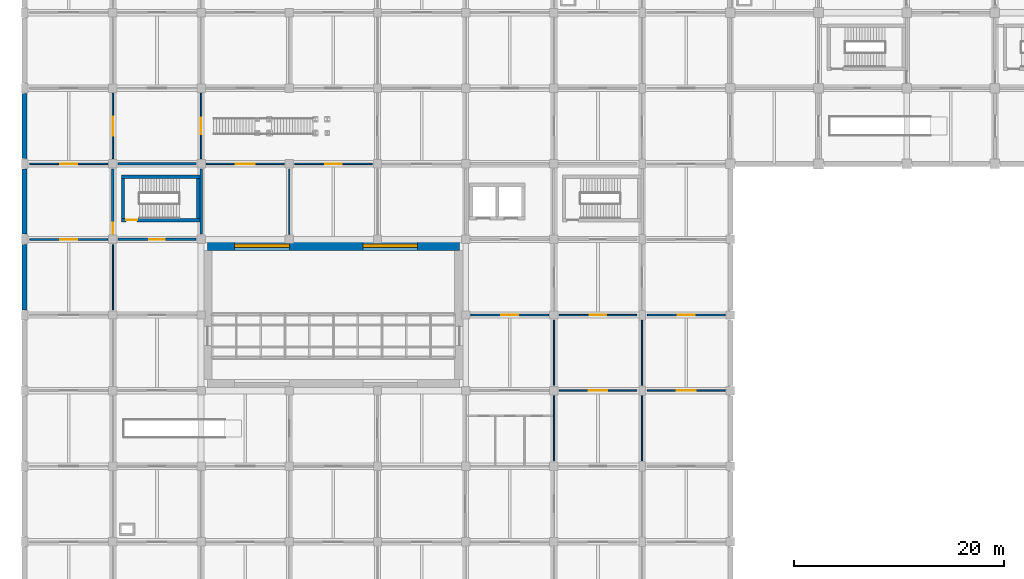
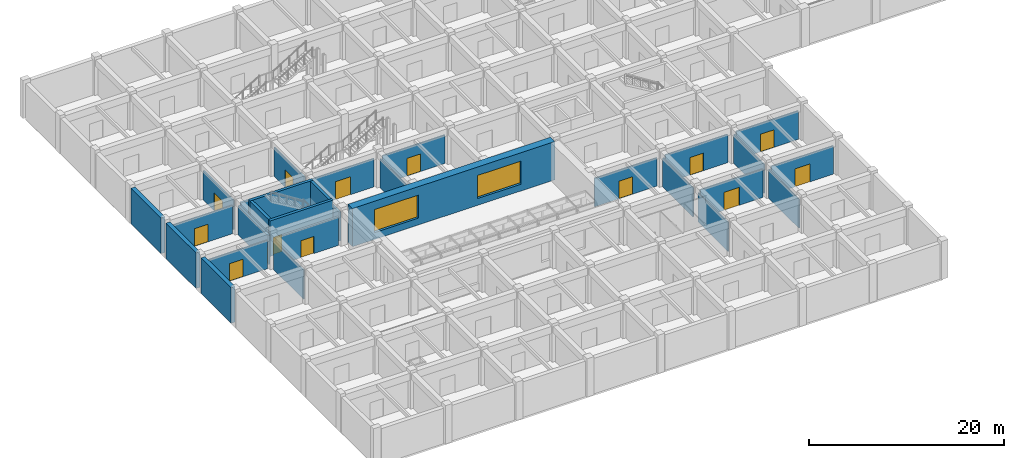
# One storey, part 18 of 32: 29 walls, 14 doors, 2 windows, 16 openings.
"""IFC4 building model written with IfcOpenShell, lengths in metres."""

from ifc_helpers import new_model, si_unit, derived_unit, direction, frame, frame_2d, origin, place, context, subcontext, project, spatial, rectangle, extrude, material, layer, layer_set, type_object, element, fill, save


model = new_model("IFC4")

# Units and contexts
model_context = context("Model", 3, precision=1e-05, world=origin(), true_north=direction((0.0, 1.0)))
body_context = subcontext(model_context, "Body", "Model", "MODEL_VIEW")
ifc_project = project(units=[si_unit("LENGTHUNIT", "METRE"), si_unit("AREAUNIT", "SQUARE_METRE"), si_unit("VOLUMEUNIT", "CUBIC_METRE"), si_unit("PLANEANGLEUNIT", "RADIAN"), si_unit("MASSUNIT", "GRAM", prefix="KILO"), derived_unit("THERMALTRANSMITTANCEUNIT", [(si_unit("MASSUNIT", "GRAM", prefix="KILO"), 1), (si_unit("TIMEUNIT", "SECOND"), -3), (si_unit("THERMODYNAMICTEMPERATUREUNIT", "KELVIN"), -1)])], contexts=[model_context])

# Site, building, storey
site_placement = place(None, origin())
site = spatial("IfcSite", under=ifc_project, at=site_placement, CompositionType="ELEMENT")
building_placement = place(site_placement, origin())
building = spatial("IfcBuilding", under=site, at=building_placement, Name="Veldstrom Oceanarium and Marine Research Institute", CompositionType="ELEMENT")
storey_placement = place(building_placement, frame((0.0, 0.0, -4.800048828125)))
storey = spatial("IfcBuildingStorey", under=building, at=storey_placement, Name="B01", CompositionType="ELEMENT", Elevation=-4.800048828125)

# Wall, opening, door
ifc_material_1 = material(Name="Masonry Fire Compartment Wall", Category="masonry")
ifc_layer_1 = layer(ifc_material_1, 0.22998046875)
ifc_layer_set_1 = layer_set([ifc_layer_1], Name="ARC-WAL-PT1")
wall_type_1 = type_object("IfcWallType", Name="ARC-WAL-PT1", PredefinedType="PARTITIONING", material=ifc_layer_set_1)
wall_1_placement = place(storey_placement, frame((8.39990234375, 36.5, 0.0), z_axis=(0.0, 0.0, 1.0), x_axis=(0.0, 1.0, 0.0)))
wall_1 = element("IfcWall", 1, at=wall_1_placement, inside=storey, type_object=wall_type_1, Name="Interior Partition PT1 B01-0308", PredefinedType="PARTITIONING", context=body_context, shape_type="SweptSolid", body=[
    extrude(rectangle(XDim=6.199951171875, YDim=0.22998046875, at=frame_2d((3.10009765625, 0.0))), origin(), (0.0, 0.0, 1.0), 3.64501953125),
])
opening_1_placement = place(wall_1_placement, frame((0.050048828125, 0.0, 0.0)))
opening_1 = element("IfcOpeningElement", 2, at=opening_1_placement, cuts=wall_1, Name="Opening D-B01-180", PredefinedType="OPENING", context=body_context, shape_type="SweptSolid", body=[
    extrude(rectangle(XDim=1.050048828125, YDim=2.14990234375, at=frame_2d((0.52490234375, 1.074951171875))), frame((0.0, 0.125, 0.0), z_axis=(0.0, -1.0, 0.0), x_axis=(1.0, 0.0, 0.0)), (0.0, 0.0, 1.0), 0.25),
])
ifc_material_2 = material(Name="Painted Steel Fire Door", Category="steel")
door_type_1 = type_object("IfcDoorType", Name="ARC-DOR-SD1", OperationType="SINGLE_SWING_LEFT", PredefinedType="DOOR", material=ifc_material_2)
door_1_placement = place(opening_1_placement, origin())
door_1 = element("IfcDoor", 3, at=door_1_placement, inside=storey, type_object=door_type_1, Name="Interior Door D-B01-180", OperationType="SINGLE_SWING_LEFT", OverallHeight=2.14990234375, OverallWidth=1.050048828125, PredefinedType="DOOR", context=body_context, shape_type="SweptSolid", body=[
    extrude(rectangle(XDim=1.050048828125, YDim=2.14990234375, at=frame_2d((0.52490234375, 1.074951171875))), frame((0.0, 0.02490234375, 0.0), z_axis=(0.0, -1.0, 0.0), x_axis=(1.0, 0.0, 0.0)), (0.0, 0.0, 1.0), 0.050048828125),
])
fill(opening_1, door_1)

wall_2_placement = place(storey_placement, frame((8.89990234375, 36.0, 0.0), z_axis=(0.0, 0.0, 1.0), x_axis=(1.0, 0.0, 0.0)))
wall_2 = element("IfcWall", 4, at=wall_2_placement, inside=storey, type_object=wall_type_1, Name="Interior Partition PT1 B01-0323", PredefinedType="PARTITIONING", context=body_context, shape_type="SweptSolid", body=[
    extrude(rectangle(XDim=7.400146484375, YDim=0.22998046875, at=frame_2d((3.7001953125, 0.0))), origin(), (0.0, 0.0, 1.0), 3.545166015625),
])
opening_2_placement = place(wall_2_placement, frame((2.949951171875, 0.0, 0.0)))
opening_2 = element("IfcOpeningElement", 5, at=opening_2_placement, cuts=wall_2, Name="Opening D-B01-190", PredefinedType="OPENING", context=body_context, shape_type="SweptSolid", body=[
    extrude(rectangle(XDim=1.5, YDim=2.14990234375, at=frame_2d((0.75, 1.074951171875))), frame((0.0, 0.125, 0.0), z_axis=(0.0, -1.0, 0.0), x_axis=(1.0, 0.0, 0.0)), (0.0, 0.0, 1.0), 0.25),
])
ifc_material_3 = material(Name="Painted Steel Lobby Fire Door", Category="steel")
door_type_2 = type_object("IfcDoorType", Name="ARC-DOR-SD2", OperationType="DOUBLE_DOOR_SINGLE_SWING", PredefinedType="DOOR", material=ifc_material_3)
door_2_placement = place(opening_2_placement, frame((1.5, 0.0, 0.0), z_axis=(0.0, 0.0, 1.0), x_axis=(-1.0, 0.0, 0.0)))
door_2 = element("IfcDoor", 6, at=door_2_placement, inside=storey, type_object=door_type_2, Name="Interior Door D-B01-190", OperationType="DOUBLE_DOOR_SINGLE_SWING", OverallHeight=2.14990234375, OverallWidth=1.5, PredefinedType="DOOR", context=body_context, shape_type="SweptSolid", body=[
    extrude(rectangle(XDim=1.5, YDim=2.14990234375, at=frame_2d((0.75, 1.074951171875))), frame((0.0, 0.02490234375, 0.0), z_axis=(0.0, -1.0, 0.0), x_axis=(1.0, 0.0, 0.0)), (0.0, 0.0, 1.0), 0.050048828125),
])
fill(opening_2, door_2)

# Walls
wall_3_placement = place(storey_placement, frame((16.800048828125, 36.5, 0.0), z_axis=(0.0, 0.0, 1.0), x_axis=(0.0, 1.0, 0.0)))
element("IfcWall", 7, at=wall_3_placement, inside=storey, type_object=wall_type_1, Name="Interior Partition PT1 B01-0324", PredefinedType="PARTITIONING", context=body_context, shape_type="SweptSolid", body=[
    extrude(rectangle(XDim=6.199951171875, YDim=0.22998046875, at=frame_2d((3.10009765625, 0.0))), origin(), (0.0, 0.0, 1.0), 3.64501953125),
])
wall_4_placement = place(storey_placement, frame((8.89990234375, 43.199951171875, 0.0), z_axis=(0.0, 0.0, 1.0), x_axis=(1.0, 0.0, 0.0)))
element("IfcWall", 8, at=wall_4_placement, inside=storey, type_object=wall_type_1, Name="Interior Partition PT1 B01-0325", PredefinedType="PARTITIONING", context=body_context, shape_type="SweptSolid", body=[
    extrude(rectangle(XDim=7.400146484375, YDim=0.22998046875, at=frame_2d((3.7001953125, 0.0))), origin(), (0.0, 0.0, 1.0), 3.545166015625),
])

# Wall, opening, door
ifc_material_4 = material(Name="Drywall Corridor Partition", Category="gypsum")
ifc_layer_2 = layer(ifc_material_4, 0.155029296875)
ifc_layer_set_2 = layer_set([ifc_layer_2], Name="ARC-WAL-PT4")
wall_type_2 = type_object("IfcWallType", Name="ARC-WAL-PT4", PredefinedType="PARTITIONING", material=ifc_layer_set_2)
wall_5_placement = place(storey_placement, frame((0.5, 36.0, 0.0), z_axis=(0.0, 0.0, 1.0), x_axis=(1.0, 0.0, 0.0)))
wall_5 = element("IfcWall", 9, at=wall_5_placement, inside=storey, type_object=wall_type_2, Name="Interior Partition PT4 B01-0307", PredefinedType="PARTITIONING", context=body_context, shape_type="SweptSolid", body=[
    extrude(rectangle(XDim=7.39990234375, YDim=0.155029296875, at=frame_2d((3.699951171875, 0.0))), origin(), (0.0, 0.0, 1.0), 3.545166015625),
])
opening_3_placement = place(wall_5_placement, frame((2.89990234375, 0.0, 0.0)))
opening_3 = element("IfcOpeningElement", 10, at=opening_3_placement, cuts=wall_5, Name="Opening D-B01-179", PredefinedType="OPENING", context=body_context, shape_type="SweptSolid", body=[
    extrude(rectangle(XDim=1.60009765625, YDim=2.199951171875, at=frame_2d((0.800048828125, 1.10009765625))), frame((0.0, 0.08740234375, 0.0), z_axis=(0.0, -1.0, 0.0), x_axis=(1.0, 0.0, 0.0)), (0.0, 0.0, 1.0), 0.175048828125),
])
ifc_material_5 = material(Name="Acoustic Timber Corridor Door", Category="wood")
door_type_3 = type_object("IfcDoorType", Name="ARC-DOR-ID02", OperationType="DOUBLE_DOOR_SINGLE_SWING", PredefinedType="DOOR", material=ifc_material_5)
door_3_placement = place(opening_3_placement, frame((1.60009765625, 0.0, 0.0), z_axis=(0.0, 0.0, 1.0), x_axis=(-1.0, 0.0, 0.0)))
door_3 = element("IfcDoor", 11, at=door_3_placement, inside=storey, type_object=door_type_3, Name="Interior Door D-B01-179", OperationType="DOUBLE_DOOR_SINGLE_SWING", OverallHeight=2.199951171875, OverallWidth=1.60009765625, PredefinedType="DOOR", context=body_context, shape_type="SweptSolid", body=[
    extrude(rectangle(XDim=1.60009765625, YDim=2.199951171875, at=frame_2d((0.800048828125, 1.10009765625))), frame((0.0, 0.02490234375, 0.0), z_axis=(0.0, -1.0, 0.0), x_axis=(1.0, 0.0, 0.0)), (0.0, 0.0, 1.0), 0.050048828125),
])
fill(opening_3, door_3)

wall_6_placement = place(storey_placement, frame((8.39990234375, 43.699951171875, 0.0), z_axis=(0.0, 0.0, 1.0), x_axis=(0.0, 1.0, 0.0)))
wall_6 = element("IfcWall", 12, at=wall_6_placement, inside=storey, type_object=wall_type_2, Name="Interior Partition PT4 B01-0310", PredefinedType="PARTITIONING", context=body_context, shape_type="SweptSolid", body=[
    extrude(rectangle(XDim=6.199951171875, YDim=0.155029296875, at=frame_2d((3.10009765625, 0.0))), origin(), (0.0, 0.0, 1.0), 3.64501953125),
])
opening_4_placement = place(wall_6_placement, frame((2.199951171875, 0.0, 0.0)))
opening_4 = element("IfcOpeningElement", 13, at=opening_4_placement, cuts=wall_6, Name="Opening D-B01-182", PredefinedType="OPENING", context=body_context, shape_type="SweptSolid", body=[
    extrude(rectangle(XDim=1.800048828125, YDim=2.25, at=frame_2d((0.89990234375, 1.125))), frame((0.0, 0.08740234375, 0.0), z_axis=(0.0, -1.0, 0.0), x_axis=(1.0, 0.0, 0.0)), (0.0, 0.0, 1.0), 0.175048828125),
])
ifc_material_6 = material(Name="Acoustic Timber Gallery Door", Category="wood")
door_type_4 = type_object("IfcDoorType", Name="ARC-DOR-ID01", OperationType="DOUBLE_DOOR_SINGLE_SWING", PredefinedType="DOOR", material=ifc_material_6)
door_4_placement = place(opening_4_placement, origin())
door_4 = element("IfcDoor", 14, at=door_4_placement, inside=storey, type_object=door_type_4, Name="Interior Door D-B01-182", OperationType="DOUBLE_DOOR_SINGLE_SWING", OverallHeight=2.25, OverallWidth=1.800048828125, PredefinedType="DOOR", context=body_context, shape_type="SweptSolid", body=[
    extrude(rectangle(XDim=1.800048828125, YDim=2.25, at=frame_2d((0.89990234375, 1.125))), frame((0.0, 0.02490234375, 0.0), z_axis=(0.0, -1.0, 0.0), x_axis=(1.0, 0.0, 0.0)), (0.0, 0.0, 1.0), 0.050048828125),
])
fill(opening_4, door_4)

wall_7_placement = place(storey_placement, frame((25.699951171875, 43.199951171875, 0.0), z_axis=(0.0, 0.0, 1.0), x_axis=(1.0, 0.0, 0.0)))
wall_7 = element("IfcWall", 15, at=wall_7_placement, inside=storey, type_object=wall_type_2, Name="Interior Partition PT4 B01-0351", PredefinedType="PARTITIONING", context=body_context, shape_type="SweptSolid", body=[
    extrude(rectangle(XDim=7.400146484375, YDim=0.155029296875, at=frame_2d((3.7001953125, 0.0))), origin(), (0.0, 0.0, 1.0), 3.545166015625),
])
opening_5_placement = place(wall_7_placement, frame((2.89990234375, 0.0, 0.0)))
opening_5 = element("IfcOpeningElement", 16, at=opening_5_placement, cuts=wall_7, Name="Opening D-B01-205", PredefinedType="OPENING", context=body_context, shape_type="SweptSolid", body=[
    extrude(rectangle(XDim=1.60009765625, YDim=2.199951171875, at=frame_2d((0.800048828125, 1.10009765625))), frame((0.0, 0.08740234375, 0.0), z_axis=(0.0, -1.0, 0.0), x_axis=(1.0, 0.0, 0.0)), (0.0, 0.0, 1.0), 0.175048828125),
])
door_5_placement = place(opening_5_placement, frame((1.60009765625, 0.0, 0.0), z_axis=(0.0, 0.0, 1.0), x_axis=(-1.0, 0.0, 0.0)))
door_5 = element("IfcDoor", 17, at=door_5_placement, inside=storey, type_object=door_type_3, Name="Interior Door D-B01-205", OperationType="DOUBLE_DOOR_SINGLE_SWING", OverallHeight=2.199951171875, OverallWidth=1.60009765625, PredefinedType="DOOR", context=body_context, shape_type="SweptSolid", body=[
    extrude(rectangle(XDim=1.60009765625, YDim=2.199951171875, at=frame_2d((0.800048828125, 1.10009765625))), frame((0.0, 0.02490234375, 0.0), z_axis=(0.0, -1.0, 0.0), x_axis=(1.0, 0.0, 0.0)), (0.0, 0.0, 1.0), 0.050048828125),
])
fill(opening_5, door_5)

wall_8_placement = place(storey_placement, frame((42.5, 28.800048828125, 0.0), z_axis=(0.0, 0.0, 1.0), x_axis=(1.0, 0.0, 0.0)))
wall_8 = element("IfcWall", 18, at=wall_8_placement, inside=storey, type_object=wall_type_2, Name="Interior Partition PT4 B01-0380", PredefinedType="PARTITIONING", context=body_context, shape_type="SweptSolid", body=[
    extrude(rectangle(XDim=7.39990234375, YDim=0.155029296875, at=frame_2d((3.699951171875, 0.0))), origin(), (0.0, 0.0, 1.0), 3.545166015625),
])
opening_6_placement = place(wall_8_placement, frame((2.89990234375, 0.0, 0.0)))
opening_6 = element("IfcOpeningElement", 19, at=opening_6_placement, cuts=wall_8, Name="Opening D-B01-219", PredefinedType="OPENING", context=body_context, shape_type="SweptSolid", body=[
    extrude(rectangle(XDim=1.60009765625, YDim=2.199951171875, at=frame_2d((0.800048828125, 1.10009765625))), frame((0.0, 0.08740234375, 0.0), z_axis=(0.0, -1.0, 0.0), x_axis=(1.0, 0.0, 0.0)), (0.0, 0.0, 1.0), 0.175048828125),
])
door_6_placement = place(opening_6_placement, frame((1.60009765625, 0.0, 0.0), z_axis=(0.0, 0.0, 1.0), x_axis=(-1.0, 0.0, 0.0)))
door_6 = element("IfcDoor", 20, at=door_6_placement, inside=storey, type_object=door_type_3, Name="Interior Door D-B01-219", OperationType="DOUBLE_DOOR_SINGLE_SWING", OverallHeight=2.199951171875, OverallWidth=1.60009765625, PredefinedType="DOOR", context=body_context, shape_type="SweptSolid", body=[
    extrude(rectangle(XDim=1.60009765625, YDim=2.199951171875, at=frame_2d((0.800048828125, 1.10009765625))), frame((0.0, 0.02490234375, 0.0), z_axis=(0.0, -1.0, 0.0), x_axis=(1.0, 0.0, 0.0)), (0.0, 0.0, 1.0), 0.050048828125),
])
fill(opening_6, door_6)

wall_9_placement = place(storey_placement, frame((50.89990234375, 21.60009765625, 0.0), z_axis=(0.0, 0.0, 1.0), x_axis=(1.0, 0.0, 0.0)))
wall_9 = element("IfcWall", 21, at=wall_9_placement, inside=storey, type_object=wall_type_2, Name="Interior Partition PT4 B01-0397", PredefinedType="PARTITIONING", context=body_context, shape_type="SweptSolid", body=[
    extrude(rectangle(XDim=7.400146484375, YDim=0.155029296875, at=frame_2d((3.7001953125, 0.0))), origin(), (0.0, 0.0, 1.0), 3.545166015625),
])
opening_7_placement = place(wall_9_placement, frame((2.800048828125, 0.0, 0.0)))
opening_7 = element("IfcOpeningElement", 22, at=opening_7_placement, cuts=wall_9, Name="Opening D-B01-228", PredefinedType="OPENING", context=body_context, shape_type="SweptSolid", body=[
    extrude(rectangle(XDim=1.800048828125, YDim=2.25, at=frame_2d((0.89990234375, 1.125))), frame((0.0, 0.08740234375, 0.0), z_axis=(0.0, -1.0, 0.0), x_axis=(1.0, 0.0, 0.0)), (0.0, 0.0, 1.0), 0.175048828125),
])
door_7_placement = place(opening_7_placement, frame((1.800048828125, 0.0, 0.0), z_axis=(0.0, 0.0, 1.0), x_axis=(-1.0, 0.0, 0.0)))
door_7 = element("IfcDoor", 23, at=door_7_placement, inside=storey, type_object=door_type_4, Name="Interior Door D-B01-228", OperationType="DOUBLE_DOOR_SINGLE_SWING", OverallHeight=2.25, OverallWidth=1.800048828125, PredefinedType="DOOR", context=body_context, shape_type="SweptSolid", body=[
    extrude(rectangle(XDim=1.800048828125, YDim=2.25, at=frame_2d((0.89990234375, 1.125))), frame((0.0, 0.02490234375, 0.0), z_axis=(0.0, -1.0, 0.0), x_axis=(1.0, 0.0, 0.0)), (0.0, 0.0, 1.0), 0.050048828125),
])
fill(opening_7, door_7)

wall_10_placement = place(storey_placement, frame((59.300048828125, 28.800048828125, 0.0), z_axis=(0.0, 0.0, 1.0), x_axis=(1.0, 0.0, 0.0)))
wall_10 = element("IfcWall", 24, at=wall_10_placement, inside=storey, type_object=wall_type_2, Name="Interior Partition PT4 B01-0414", PredefinedType="PARTITIONING", context=body_context, shape_type="SweptSolid", body=[
    extrude(rectangle(XDim=7.39990234375, YDim=0.155029296875, at=frame_2d((3.699951171875, 0.0))), origin(), (0.0, 0.0, 1.0), 3.545166015625),
])
opening_8_placement = place(wall_10_placement, frame((2.89990234375, 0.0, 0.0)))
opening_8 = element("IfcOpeningElement", 25, at=opening_8_placement, cuts=wall_10, Name="Opening D-B01-239", PredefinedType="OPENING", context=body_context, shape_type="SweptSolid", body=[
    extrude(rectangle(XDim=1.60009765625, YDim=2.199951171875, at=frame_2d((0.800048828125, 1.10009765625))), frame((0.0, 0.08740234375, 0.0), z_axis=(0.0, -1.0, 0.0), x_axis=(1.0, 0.0, 0.0)), (0.0, 0.0, 1.0), 0.175048828125),
])
door_8_placement = place(opening_8_placement, frame((1.60009765625, 0.0, 0.0), z_axis=(0.0, 0.0, 1.0), x_axis=(-1.0, 0.0, 0.0)))
door_8 = element("IfcDoor", 26, at=door_8_placement, inside=storey, type_object=door_type_3, Name="Interior Door D-B01-239", OperationType="DOUBLE_DOOR_SINGLE_SWING", OverallHeight=2.199951171875, OverallWidth=1.60009765625, PredefinedType="DOOR", context=body_context, shape_type="SweptSolid", body=[
    extrude(rectangle(XDim=1.60009765625, YDim=2.199951171875, at=frame_2d((0.800048828125, 1.10009765625))), frame((0.0, 0.02490234375, 0.0), z_axis=(0.0, -1.0, 0.0), x_axis=(1.0, 0.0, 0.0)), (0.0, 0.0, 1.0), 0.050048828125),
])
fill(opening_8, door_8)

ifc_material_7 = material(Name="Moisture-Resistant Wet-Area Partition", Category="masonry")
ifc_layer_3 = layer(ifc_material_7, 0.139892578125)
ifc_layer_set_3 = layer_set([ifc_layer_3], Name="ARC-WAL-PT5")
wall_type_3 = type_object("IfcWallType", Name="ARC-WAL-PT5", PredefinedType="PARTITIONING", material=ifc_layer_set_3)
wall_11_placement = place(storey_placement, frame((0.5, 43.199951171875, 0.0), z_axis=(0.0, 0.0, 1.0), x_axis=(1.0, 0.0, 0.0)))
wall_11 = element("IfcWall", 27, at=wall_11_placement, inside=storey, type_object=wall_type_3, Name="Interior Partition PT5 B01-0309", PredefinedType="PARTITIONING", context=body_context, shape_type="SweptSolid", body=[
    extrude(rectangle(XDim=7.39990234375, YDim=0.139892578125, at=frame_2d((3.699951171875, 0.0))), origin(), (0.0, 0.0, 1.0), 3.545166015625),
])
opening_9_placement = place(wall_11_placement, frame((2.89990234375, 0.0, 0.0)))
opening_9 = element("IfcOpeningElement", 28, at=opening_9_placement, cuts=wall_11, Name="Opening D-B01-181", PredefinedType="OPENING", context=body_context, shape_type="SweptSolid", body=[
    extrude(rectangle(XDim=1.60009765625, YDim=2.199951171875, at=frame_2d((0.800048828125, 1.10009765625))), frame((0.0, 0.079833984375, 0.0), z_axis=(0.0, -1.0, 0.0), x_axis=(1.0, 0.0, 0.0)), (0.0, 0.0, 1.0), 0.159912109375),
])
door_9_placement = place(opening_9_placement, origin())
door_9 = element("IfcDoor", 29, at=door_9_placement, inside=storey, type_object=door_type_3, Name="Interior Door D-B01-181", OperationType="DOUBLE_DOOR_SINGLE_SWING", OverallHeight=2.199951171875, OverallWidth=1.60009765625, PredefinedType="DOOR", context=body_context, shape_type="SweptSolid", body=[
    extrude(rectangle(XDim=1.60009765625, YDim=2.199951171875, at=frame_2d((0.800048828125, 1.10009765625))), frame((0.0, 0.02490234375, 0.0), z_axis=(0.0, -1.0, 0.0), x_axis=(1.0, 0.0, 0.0)), (0.0, 0.0, 1.0), 0.050048828125),
])
fill(opening_9, door_9)

wall_12_placement = place(storey_placement, frame((16.800048828125, 43.699951171875, 0.0), z_axis=(0.0, 0.0, 1.0), x_axis=(0.0, 1.0, 0.0)))
wall_12 = element("IfcWall", 30, at=wall_12_placement, inside=storey, type_object=wall_type_3, Name="Interior Partition PT5 B01-0326", PredefinedType="PARTITIONING", context=body_context, shape_type="SweptSolid", body=[
    extrude(rectangle(XDim=6.199951171875, YDim=0.139892578125, at=frame_2d((3.10009765625, 0.0))), origin(), (0.0, 0.0, 1.0), 3.64501953125),
])
opening_10_placement = place(wall_12_placement, frame((2.300048828125, 0.0, 0.0)))
opening_10 = element("IfcOpeningElement", 31, at=opening_10_placement, cuts=wall_12, Name="Opening D-B01-191", PredefinedType="OPENING", context=body_context, shape_type="SweptSolid", body=[
    extrude(rectangle(XDim=1.60009765625, YDim=2.199951171875, at=frame_2d((0.800048828125, 1.10009765625))), frame((0.0, 0.079833984375, 0.0), z_axis=(0.0, -1.0, 0.0), x_axis=(1.0, 0.0, 0.0)), (0.0, 0.0, 1.0), 0.159912109375),
])
door_10_placement = place(opening_10_placement, frame((1.60009765625, 0.0, 0.0), z_axis=(0.0, 0.0, 1.0), x_axis=(-1.0, 0.0, 0.0)))
door_10 = element("IfcDoor", 32, at=door_10_placement, inside=storey, type_object=door_type_3, Name="Interior Door D-B01-191", OperationType="DOUBLE_DOOR_SINGLE_SWING", OverallHeight=2.199951171875, OverallWidth=1.60009765625, PredefinedType="DOOR", context=body_context, shape_type="SweptSolid", body=[
    extrude(rectangle(XDim=1.60009765625, YDim=2.199951171875, at=frame_2d((0.800048828125, 1.10009765625))), frame((0.0, 0.02490234375, 0.0), z_axis=(0.0, -1.0, 0.0), x_axis=(1.0, 0.0, 0.0)), (0.0, 0.0, 1.0), 0.050048828125),
])
fill(opening_10, door_10)

wall_13_placement = place(storey_placement, frame((17.300048828125, 43.199951171875, 0.0), z_axis=(0.0, 0.0, 1.0), x_axis=(1.0, 0.0, 0.0)))
wall_13 = element("IfcWall", 33, at=wall_13_placement, inside=storey, type_object=wall_type_3, Name="Interior Partition PT5 B01-0339", PredefinedType="PARTITIONING", context=body_context, shape_type="SweptSolid", body=[
    extrude(rectangle(XDim=7.39990234375, YDim=0.139892578125, at=frame_2d((3.699951171875, 0.0))), origin(), (0.0, 0.0, 1.0), 3.545166015625),
])
opening_11_placement = place(wall_13_placement, frame((2.800048828125, 0.0, 0.0)))
opening_11 = element("IfcOpeningElement", 34, at=opening_11_placement, cuts=wall_13, Name="Opening D-B01-198", PredefinedType="OPENING", context=body_context, shape_type="SweptSolid", body=[
    extrude(rectangle(XDim=1.800048828125, YDim=2.25, at=frame_2d((0.89990234375, 1.125))), frame((0.0, 0.079833984375, 0.0), z_axis=(0.0, -1.0, 0.0), x_axis=(1.0, 0.0, 0.0)), (0.0, 0.0, 1.0), 0.159912109375),
])
door_11_placement = place(opening_11_placement, origin())
door_11 = element("IfcDoor", 35, at=door_11_placement, inside=storey, type_object=door_type_4, Name="Interior Door D-B01-198", OperationType="DOUBLE_DOOR_SINGLE_SWING", OverallHeight=2.25, OverallWidth=1.800048828125, PredefinedType="DOOR", context=body_context, shape_type="SweptSolid", body=[
    extrude(rectangle(XDim=1.800048828125, YDim=2.25, at=frame_2d((0.89990234375, 1.125))), frame((0.0, 0.02490234375, 0.0), z_axis=(0.0, -1.0, 0.0), x_axis=(1.0, 0.0, 0.0)), (0.0, 0.0, 1.0), 0.050048828125),
])
fill(opening_11, door_11)

wall_14_placement = place(storey_placement, frame((50.89990234375, 28.800048828125, 0.0), z_axis=(0.0, 0.0, 1.0), x_axis=(1.0, 0.0, 0.0)))
wall_14 = element("IfcWall", 36, at=wall_14_placement, inside=storey, type_object=wall_type_3, Name="Interior Partition PT5 B01-0399", PredefinedType="PARTITIONING", context=body_context, shape_type="SweptSolid", body=[
    extrude(rectangle(XDim=7.400146484375, YDim=0.139892578125, at=frame_2d((3.7001953125, 0.0))), origin(), (0.0, 0.0, 1.0), 3.545166015625),
])
opening_12_placement = place(wall_14_placement, frame((2.89990234375, 0.0, 0.0)))
opening_12 = element("IfcOpeningElement", 37, at=opening_12_placement, cuts=wall_14, Name="Opening D-B01-229", PredefinedType="OPENING", context=body_context, shape_type="SweptSolid", body=[
    extrude(rectangle(XDim=1.60009765625, YDim=2.199951171875, at=frame_2d((0.800048828125, 1.10009765625))), frame((0.0, 0.079833984375, 0.0), z_axis=(0.0, -1.0, 0.0), x_axis=(1.0, 0.0, 0.0)), (0.0, 0.0, 1.0), 0.159912109375),
])
door_12_placement = place(opening_12_placement, origin())
door_12 = element("IfcDoor", 38, at=door_12_placement, inside=storey, type_object=door_type_3, Name="Interior Door D-B01-229", OperationType="DOUBLE_DOOR_SINGLE_SWING", OverallHeight=2.199951171875, OverallWidth=1.60009765625, PredefinedType="DOOR", context=body_context, shape_type="SweptSolid", body=[
    extrude(rectangle(XDim=1.60009765625, YDim=2.199951171875, at=frame_2d((0.800048828125, 1.10009765625))), frame((0.0, 0.02490234375, 0.0), z_axis=(0.0, -1.0, 0.0), x_axis=(1.0, 0.0, 0.0)), (0.0, 0.0, 1.0), 0.050048828125),
])
fill(opening_12, door_12)

wall_15_placement = place(storey_placement, frame((59.300048828125, 21.60009765625, 0.0), z_axis=(0.0, 0.0, 1.0), x_axis=(1.0, 0.0, 0.0)))
wall_15 = element("IfcWall", 39, at=wall_15_placement, inside=storey, type_object=wall_type_3, Name="Interior Partition PT5 B01-0413", PredefinedType="PARTITIONING", context=body_context, shape_type="SweptSolid", body=[
    extrude(rectangle(XDim=7.39990234375, YDim=0.139892578125, at=frame_2d((3.699951171875, 0.0))), origin(), (0.0, 0.0, 1.0), 3.545166015625),
])
opening_13_placement = place(wall_15_placement, frame((2.800048828125, 0.0, 0.0)))
opening_13 = element("IfcOpeningElement", 40, at=opening_13_placement, cuts=wall_15, Name="Opening D-B01-238", PredefinedType="OPENING", context=body_context, shape_type="SweptSolid", body=[
    extrude(rectangle(XDim=1.800048828125, YDim=2.25, at=frame_2d((0.89990234375, 1.125))), frame((0.0, 0.079833984375, 0.0), z_axis=(0.0, -1.0, 0.0), x_axis=(1.0, 0.0, 0.0)), (0.0, 0.0, 1.0), 0.159912109375),
])
door_13_placement = place(opening_13_placement, origin())
door_13 = element("IfcDoor", 41, at=door_13_placement, inside=storey, type_object=door_type_4, Name="Interior Door D-B01-238", OperationType="DOUBLE_DOOR_SINGLE_SWING", OverallHeight=2.25, OverallWidth=1.800048828125, PredefinedType="DOOR", context=body_context, shape_type="SweptSolid", body=[
    extrude(rectangle(XDim=1.800048828125, YDim=2.25, at=frame_2d((0.89990234375, 1.125))), frame((0.0, 0.02490234375, 0.0), z_axis=(0.0, -1.0, 0.0), x_axis=(1.0, 0.0, 0.0)), (0.0, 0.0, 1.0), 0.050048828125),
])
fill(opening_13, door_13)

# Walls
ifc_material_8 = material(Name="Lightweight Studio Partition", Category="gypsum")
ifc_layer_4 = layer(ifc_material_8, 0.1201171875)
ifc_layer_set_4 = layer_set([ifc_layer_4], Name="ARC-WAL-PT6")
wall_type_4 = type_object("IfcWallType", Name="ARC-WAL-PT6", PredefinedType="PARTITIONING", material=ifc_layer_set_4)
for number, where, z_axis, x_axis, name in (
    (42, (8.39990234375, 29.300048828125, 0.0), (0.0, 0.0, 1.0), (0.0, 1.0, 0.0), "Interior Partition PT6 B01-0306"),
    (43, (25.199951171875, 36.5, 0.0), (0.0, 0.0, 1.0), (0.0, 1.0, 0.0), "Interior Partition PT6 B01-0338"),
):
    element("IfcWall", number, at=place(storey_placement, frame(where, z_axis=z_axis, x_axis=x_axis)), inside=storey, type_object=wall_type_4, Name=name, PredefinedType="PARTITIONING", context=body_context, shape_type="SweptSolid", body=[
        extrude(rectangle(XDim=6.199951171875, YDim=0.1201171875, at=frame_2d((3.10009765625, 0.0))), origin(), (0.0, 0.0, 1.0), 3.64501953125),
    ])
wall_16_placement = place(storey_placement, frame((50.39990234375, 14.89990234375, 0.0), z_axis=(0.0, 0.0, 1.0), x_axis=(0.0, 1.0, 0.0)))
element("IfcWall", 44, at=wall_16_placement, inside=storey, type_object=wall_type_4, Name="Interior Partition PT6 B01-0377", PredefinedType="PARTITIONING", context=body_context, shape_type="SweptSolid", body=[
    extrude(rectangle(XDim=6.2001953125, YDim=0.1201171875, at=frame_2d((3.10009765625, 0.0))), origin(), (0.0, 0.0, 1.0), 3.64501953125),
])
wall_17_placement = place(storey_placement, frame((50.39990234375, 22.10009765625, 0.0), z_axis=(0.0, 0.0, 1.0), x_axis=(0.0, 1.0, 0.0)))
element("IfcWall", 45, at=wall_17_placement, inside=storey, type_object=wall_type_4, Name="Interior Partition PT6 B01-0379", PredefinedType="PARTITIONING", context=body_context, shape_type="SweptSolid", body=[
    extrude(rectangle(XDim=6.199951171875, YDim=0.1201171875, at=frame_2d((3.10009765625, 0.0))), origin(), (0.0, 0.0, 1.0), 3.64501953125),
])
wall_18_placement = place(storey_placement, frame((58.800048828125, 14.89990234375, 0.0), z_axis=(0.0, 0.0, 1.0), x_axis=(0.0, 1.0, 0.0)))
element("IfcWall", 46, at=wall_18_placement, inside=storey, type_object=wall_type_4, Name="Interior Partition PT6 B01-0396", PredefinedType="PARTITIONING", context=body_context, shape_type="SweptSolid", body=[
    extrude(rectangle(XDim=6.2001953125, YDim=0.1201171875, at=frame_2d((3.10009765625, 0.0))), origin(), (0.0, 0.0, 1.0), 3.64501953125),
])
wall_19_placement = place(storey_placement, frame((58.800048828125, 22.10009765625, 0.0), z_axis=(0.0, 0.0, 1.0), x_axis=(0.0, 1.0, 0.0)))
element("IfcWall", 47, at=wall_19_placement, inside=storey, type_object=wall_type_4, Name="Interior Partition PT6 B01-0398", PredefinedType="PARTITIONING", context=body_context, shape_type="SweptSolid", body=[
    extrude(rectangle(XDim=6.199951171875, YDim=0.1201171875, at=frame_2d((3.10009765625, 0.0))), origin(), (0.0, 0.0, 1.0), 3.64501953125),
])

# Wall, opening, door
ifc_material_9 = material(Name="Concrete C40/50", Category="concrete")
ifc_layer_5 = layer(ifc_material_9, 0.320068359375)
ifc_layer_set_5 = layer_set([ifc_layer_5], Name="STR-WAL-WC3")
wall_type_5 = type_object("IfcWallType", Name="STR-WAL-WC3", PredefinedType="SHEAR", material=ifc_layer_set_5)
wall_20_placement = place(storey_placement, frame((9.199951171875, 37.840087890625, 0.0), z_axis=(0.0, 0.0, 1.0), x_axis=(1.0, 0.0, 0.0)))
wall_20 = element("IfcWall", 48, at=wall_20_placement, inside=storey, type_object=wall_type_5, Name="Stair Core Shear Wall SC3-B01-S", PredefinedType="SHEAR", context=body_context, shape_type="SweptSolid", body=[
    extrude(rectangle(XDim=7.47998046875, YDim=0.320068359375, at=frame_2d((3.739990234375, 0.0))), origin(), (0.0, 0.0, 1.0), 4.449951171875),
])
opening_14_placement = place(wall_20_placement, frame((0.449951171875, 0.0, 0.0)))
opening_14 = element("IfcOpeningElement", 49, at=opening_14_placement, cuts=wall_20, Name="Opening D-ST3-B01", PredefinedType="OPENING", context=body_context, shape_type="SweptSolid", body=[
    extrude(rectangle(XDim=1.050048828125, YDim=2.14990234375, at=frame_2d((0.52490234375, 1.074951171875))), frame((0.0, 0.169921875, 0.0), z_axis=(0.0, -1.0, 0.0), x_axis=(1.0, 0.0, 0.0)), (0.0, 0.0, 1.0), 0.340087890625),
])
door_14_placement = place(opening_14_placement, origin())
door_14 = element("IfcDoor", 50, at=door_14_placement, inside=storey, type_object=door_type_1, Name="Escape Stair Fire Door D-ST3-B01", OperationType="SINGLE_SWING_LEFT", OverallHeight=2.14990234375, OverallWidth=1.050048828125, PredefinedType="DOOR", context=body_context, shape_type="SweptSolid", body=[
    extrude(rectangle(XDim=1.050048828125, YDim=2.14990234375, at=frame_2d((0.52490234375, 1.074951171875))), frame((0.0, 0.02490234375, 0.0), z_axis=(0.0, -1.0, 0.0), x_axis=(1.0, 0.0, 0.0)), (0.0, 0.0, 1.0), 0.050048828125),
])
fill(opening_14, door_14)

# Walls
wall_21_placement = place(storey_placement, frame((9.199951171875, 41.9599609375, 0.0), z_axis=(0.0, 0.0, 1.0), x_axis=(1.0, 0.0, 0.0)))
element("IfcWall", 51, at=wall_21_placement, inside=storey, type_object=wall_type_5, Name="Stair Core Shear Wall SC3-B01-N", PredefinedType="SHEAR", context=body_context, shape_type="SweptSolid", body=[
    extrude(rectangle(XDim=7.47998046875, YDim=0.320068359375, at=frame_2d((3.739990234375, 0.0))), origin(), (0.0, 0.0, 1.0), 4.449951171875),
])
for number, where, z_axis, x_axis, name in (
    (52, (9.360107421875, 38.0, 0.0), (0.0, 0.0, 1.0), (0.0, 1.0, 0.0), "Stair Core Shear Wall SC3-B01-W"),
    (53, (16.52001953125, 38.0, 0.0), (0.0, 0.0, 1.0), (0.0, 1.0, 0.0), "Stair Core Shear Wall SC3-B01-E"),
):
    element("IfcWall", number, at=place(storey_placement, frame(where, z_axis=z_axis, x_axis=x_axis)), inside=storey, type_object=wall_type_5, Name=name, PredefinedType="SHEAR", context=body_context, shape_type="SweptSolid", body=[
        extrude(rectangle(XDim=3.800048828125, YDim=0.320068359375, at=frame_2d((1.89990234375, 0.0))), origin(), (0.0, 0.0, 1.0), 4.449951171875),
    ])
ifc_material_10 = material(Name="Concrete C40/50", Category="concrete")
ifc_layer_6 = layer(ifc_material_10, 0.47998046875)
ifc_layer_set_6 = layer_set([ifc_layer_6], Name="STR-WAL-WR2")
wall_type_6 = type_object("IfcWallType", Name="STR-WAL-WR2", PredefinedType="USERDEFINED", material=ifc_layer_set_6)
for number, where, z_axis, x_axis, name in (
    (54, (0.0, 29.300048828125, 0.0), (0.0, 0.0, 1.0), (0.0, 1.0, 0.0), "Basement Retaining Wall WR2-B01-006"),
    (55, (0.0, 36.5, 0.0), (0.0, 0.0, 1.0), (0.0, 1.0, 0.0), "Basement Retaining Wall WR2-B01-007"),
    (56, (0.0, 43.699951171875, 0.0), (0.0, 0.0, 1.0), (0.0, 1.0, 0.0), "Basement Retaining Wall WR2-B01-008"),
):
    element("IfcWall", number, at=place(storey_placement, frame(where, z_axis=z_axis, x_axis=x_axis)), inside=storey, type_object=wall_type_6, Name=name, ObjectType="Retaining wall", PredefinedType="USERDEFINED", context=body_context, shape_type="SweptSolid", body=[
        extrude(rectangle(XDim=6.199951171875, YDim=0.47998046875, at=frame_2d((3.10009765625, 0.0))), origin(), (0.0, 0.0, 1.0), 4.449951171875),
    ])

# Wall, openings, windows
ifc_material_11 = material(Name="Concrete C40/50", Category="concrete")
ifc_layer_7 = layer(ifc_material_11, 0.89990234375)
ifc_layer_set_7 = layer_set([ifc_layer_7], Name="STR-WAL-WT1")
wall_type_7 = type_object("IfcWallType", Name="STR-WAL-WT1", PredefinedType="SOLIDWALL", material=ifc_layer_set_7)
wall_22_placement = place(storey_placement, frame((17.39990234375, 35.39990234375, 0.0), z_axis=(0.0, 0.0, 1.0), x_axis=(1.0, 0.0, 0.0)))
wall_22 = element("IfcWall", 57, at=wall_22_placement, inside=storey, type_object=wall_type_7, Name="Ocean Tank Waterproof RC Wall B01-N", PredefinedType="SOLIDWALL", context=body_context, shape_type="SweptSolid", body=[
    extrude(rectangle(XDim=24.0, YDim=0.89990234375, at=frame_2d((12.0, 0.0))), origin(), (0.0, 0.0, 1.0), 4.800048828125),
])
opening_15_placement = place(wall_22_placement, frame((2.60009765625, 0.0, 0.85009765625)))
opening_15 = element("IfcOpeningElement", 58, at=opening_15_placement, cuts=wall_22, Name="Opening VW2", PredefinedType="OPENING", context=body_context, shape_type="SweptSolid", body=[
    extrude(rectangle(XDim=5.199951171875, YDim=2.89990234375, at=frame_2d((2.60009765625, 1.449951171875))), frame((0.0, 0.4599609375, 0.0), z_axis=(0.0, -1.0, 0.0), x_axis=(1.0, 0.0, 0.0)), (0.0, 0.0, 1.0), 0.919921875),
])
opening_16_placement = place(wall_22_placement, frame((14.800048828125, 0.0, 0.85009765625)))
opening_16 = element("IfcOpeningElement", 59, at=opening_16_placement, cuts=wall_22, Name="Opening VW2", PredefinedType="OPENING", context=body_context, shape_type="SweptSolid", body=[
    extrude(rectangle(XDim=5.199951171875, YDim=2.89990234375, at=frame_2d((2.60009765625, 1.449951171875))), frame((0.0, 0.4599609375, 0.0), z_axis=(0.0, -1.0, 0.0), x_axis=(1.0, 0.0, 0.0)), (0.0, 0.0, 1.0), 0.919921875),
])
ifc_material_12 = material(Name="Cast Acrylic PMMA", Category="glass")
window_type = type_object("IfcWindowType", Name="ARC-WIN-VW2", PartitioningType="SINGLE_PANEL", PredefinedType="WINDOW", material=ifc_material_12)
window_1_placement = place(opening_15_placement, origin())
window_1 = element("IfcWindow", 60, at=window_1_placement, inside=storey, type_object=window_type, Name="Ocean Tank Acrylic Viewing Panel VW2-03", OverallHeight=2.89990234375, OverallWidth=5.199951171875, PartitioningType="SINGLE_PANEL", PredefinedType="WINDOW", context=body_context, shape_type="SweptSolid", body=[
    extrude(rectangle(XDim=5.199951171875, YDim=2.89990234375, at=frame_2d((2.60009765625, 1.449951171875))), frame((0.0, 0.175048828125, 0.0), z_axis=(0.0, -1.0, 0.0), x_axis=(1.0, 0.0, 0.0)), (0.0, 0.0, 1.0), 0.35009765625),
])
fill(opening_15, window_1)
window_2_placement = place(opening_16_placement, origin())
window_2 = element("IfcWindow", 61, at=window_2_placement, inside=storey, type_object=window_type, Name="Ocean Tank Acrylic Viewing Panel VW2-04", OverallHeight=2.89990234375, OverallWidth=5.199951171875, PartitioningType="SINGLE_PANEL", PredefinedType="WINDOW", context=body_context, shape_type="SweptSolid", body=[
    extrude(rectangle(XDim=5.199951171875, YDim=2.89990234375, at=frame_2d((2.60009765625, 1.449951171875))), frame((0.0, 0.175048828125, 0.0), z_axis=(0.0, -1.0, 0.0), x_axis=(1.0, 0.0, 0.0)), (0.0, 0.0, 1.0), 0.35009765625),
])
fill(opening_16, window_2)

save(model, "model.ifc")
